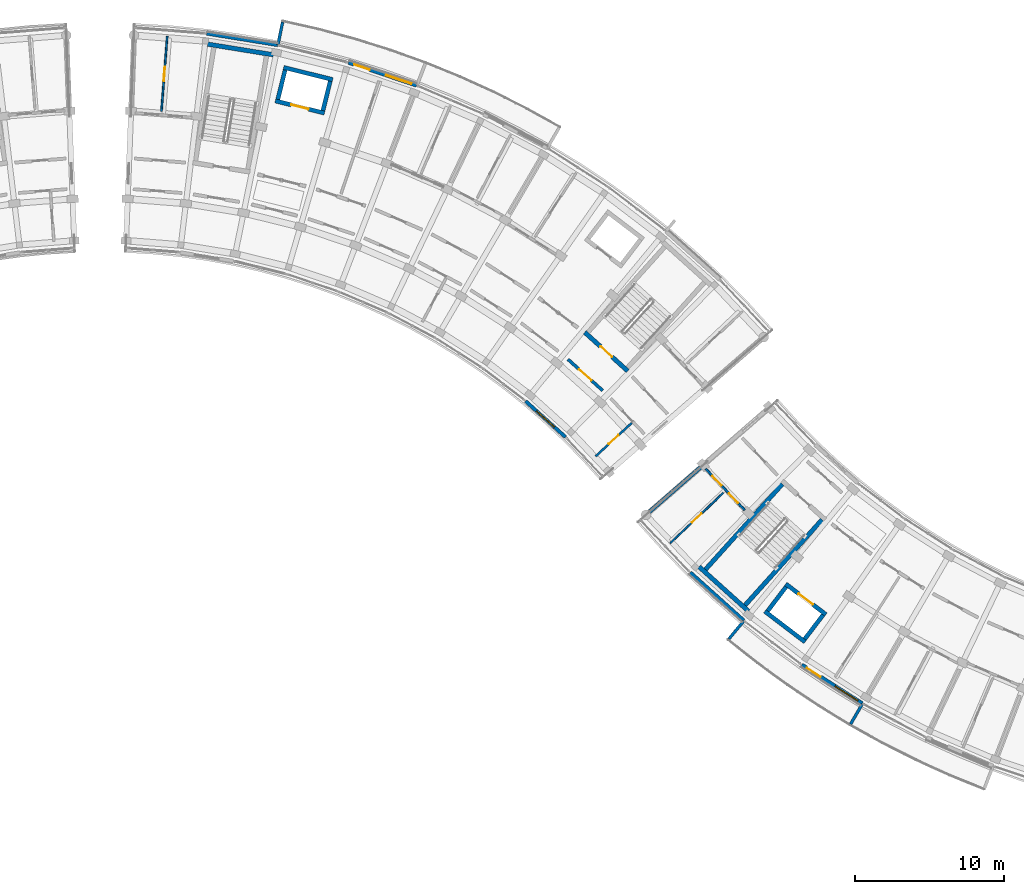
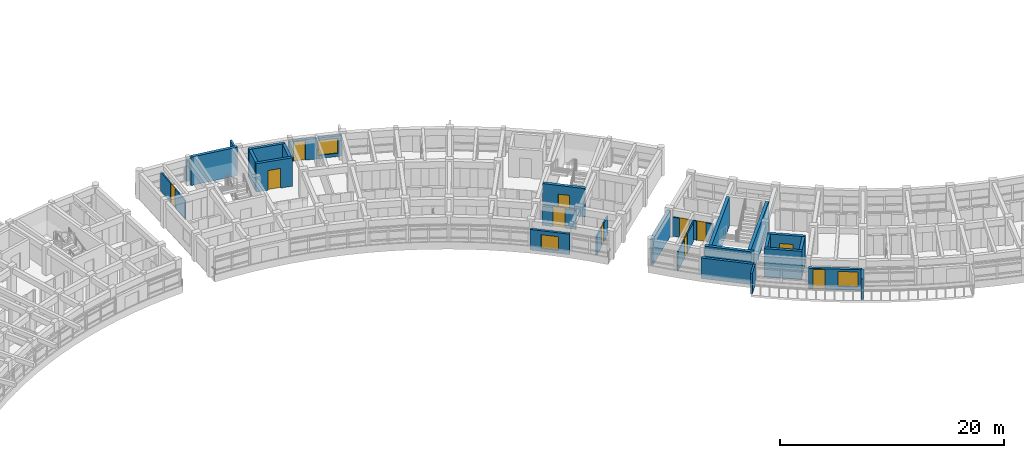
# One storey, part 34 of 50: 27 walls, 11 doors, 3 windows, 14 openings.
"""IFC4 building model written with IfcOpenShell, lengths in metres."""

from ifc_helpers import new_model, si_unit, direction, frame, frame_2d, origin, place, context, subcontext, project, spatial, rectangle, extrude, material, layer, layer_set, type_object, element, fill, save


model = new_model("IFC4")

# Units and contexts
model_context = context("Model", 3, precision=1e-05, world=origin(), true_north=direction((0.0, 1.0)))
body_context = subcontext(model_context, "Body", "Model", "MODEL_VIEW")
ifc_project = project(units=[si_unit("LENGTHUNIT", "METRE"), si_unit("AREAUNIT", "SQUARE_METRE"), si_unit("VOLUMEUNIT", "CUBIC_METRE"), si_unit("PLANEANGLEUNIT", "RADIAN"), si_unit("MASSUNIT", "GRAM", prefix="KILO")], contexts=[model_context])

# Site, building, storey
site_placement = place(None, origin())
site = spatial("IfcSite", under=ifc_project, at=site_placement, CompositionType="ELEMENT")
building_placement = place(site_placement, origin())
building = spatial("IfcBuilding", under=site, at=building_placement, Name="Zimvara Arc Housing Community", CompositionType="ELEMENT")
storey_placement = place(building_placement, frame((0.0, 0.0, 26.699951171875)))
storey = spatial("IfcBuildingStorey", under=building, at=storey_placement, Name="L08", CompositionType="ELEMENT", Elevation=26.699951171875)

# Wall, opening, window
ifc_material_1 = material(Name="Board-Marked Fair-Faced Concrete C35/45", Category="concrete")
ifc_layer_1 = layer(ifc_material_1, 0.22998046875)
ifc_layer_set_1 = layer_set([ifc_layer_1], Name="Board-Marked Fair-Faced Concrete C35/45")
wall_type_1 = type_object("IfcWallType", Name="EWL-CONC-230", PredefinedType="SOLIDWALL", material=ifc_layer_set_1)
wall_1_placement = place(storey_placement, frame((73.480712890625, 78.84716796875, 0.0), z_axis=(0.0, 0.0, 1.0), x_axis=(0.743385092197, -0.668863666751, 0.0)))
wall_1 = element("IfcWall", 1, at=wall_1_placement, inside=storey, type_object=wall_type_1, Name="ewall:blkB:L08:in:b8", PredefinedType="SOLIDWALL", context=body_context, shape_type="SweptSolid", body=[
    extrude(rectangle(XDim=3.603759765625, YDim=0.22998046875, at=frame_2d((1.8017578125, 0.0))), origin(), (0.0, 0.0, 1.0), 2.25),
])
opening_1_placement = place(wall_1_placement, frame((1.001708984375, 0.0, 0.320068359375)))
opening_1 = element("IfcOpeningElement", 2, at=opening_1_placement, cuts=wall_1, Name="Opening W03", PredefinedType="OPENING", context=body_context, shape_type="SweptSolid", body=[
    extrude(rectangle(XDim=1.60009765625, YDim=1.5, at=frame_2d((0.800048828125, 0.75))), frame((0.0, 0.125, 0.0), z_axis=(0.0, -1.0, 0.0), x_axis=(1.0, 0.0, 0.0)), (0.0, 0.0, 1.0), 0.25),
])
ifc_material_2 = material(Name="Solar Control Low-E Double Glazing", Category="glass")
window_type_1 = type_object("IfcWindowType", Name="WIN-RES-1600x1500", PartitioningType="DOUBLE_PANEL_VERTICAL", PredefinedType="WINDOW", material=ifc_material_2)
window_1_placement = place(opening_1_placement, origin())
window_1 = element("IfcWindow", 3, at=window_1_placement, inside=storey, type_object=window_type_1, Name="win:blkB:L08:in:b8", OverallHeight=1.5, OverallWidth=1.60009765625, PartitioningType="DOUBLE_PANEL_VERTICAL", PredefinedType="WINDOW", context=body_context, shape_type="SweptSolid", body=[
    extrude(rectangle(XDim=1.60009765625, YDim=1.5, at=frame_2d((0.800048828125, 0.75))), frame((0.0, 0.030029296875, 0.0), z_axis=(0.0, -1.0, 0.0), x_axis=(1.0, 0.0, 0.0)), (0.0, 0.0, 1.0), 0.06005859375),
])
fill(opening_1, window_1)

# Walls
ifc_material_3 = material(Name="Board-Marked Fair-Faced Concrete C35/45", Category="concrete")
ifc_layer_2 = layer(ifc_material_3, 0.195068359375)
ifc_layer_set_2 = layer_set([ifc_layer_2], Name="Board-Marked Fair-Faced Concrete C35/45")
wall_type_2 = type_object("IfcWallType", Name="EWL-PARA-195", PredefinedType="PARAPET", material=ifc_layer_set_2)
for number, where, z_axis, x_axis, name in (
    (4, (56.907470703125, 102.714599609375, 0.0), (0.0, 0.0, 1.0), (0.200410159258, 0.979712084271, 0.0), "finwall:blkB:L08:out:b2"),
    (5, (88.072265625, 64.1025390625, 0.0), (0.0, 0.0, 1.0), (-0.637952984874, -0.770075313908, 0.0), "finwall:blkC:L08:out:b2"),
    (6, (96.018798828125, 58.546630859375, 0.0), (0.0, 0.0, 1.0), (-0.504228145431, -0.863570481985, 0.0), "finwall:blkC:L08:out:b4"),
):
    element("IfcWall", number, at=place(storey_placement, frame(where, z_axis=z_axis, x_axis=x_axis)), inside=storey, type_object=wall_type_2, Name=name, PredefinedType="PARAPET", context=body_context, shape_type="SweptSolid", body=[
        extrude(rectangle(XDim=1.530029296875, YDim=0.195068359375, at=frame_2d((0.76513671875, 0.0))), origin(), (0.0, 0.0, 1.0), 2.25),
    ])
ifc_material_4 = material(Name="Board-Marked Fair-Faced Concrete C35/45", Category="concrete")
ifc_layer_3 = layer(ifc_material_4, 0.22412109375)
ifc_layer_set_3 = layer_set([ifc_layer_3], Name="Board-Marked Fair-Faced Concrete C35/45")
wall_type_3 = type_object("IfcWallType", Name="EWL-VAR-13", PredefinedType="SOLIDWALL", material=ifc_layer_set_3)
wall_2_placement = place(storey_placement, frame((52.1328125, 103.44921875, 0.0), z_axis=(0.0, 0.0, 1.0), x_axis=(0.987080750493, -0.160223568819, 0.0)))
element("IfcWall", 7, at=wall_2_placement, inside=storey, type_object=wall_type_3, Name="ewall:blkB:L08:out:b1", PredefinedType="SOLIDWALL", context=body_context, shape_type="SweptSolid", body=[
    extrude(rectangle(XDim=4.808837890625, YDim=0.22412109375, at=frame_2d((2.404296875, 0.0))), origin(), (0.0, 0.0, 1.0), 2.25),
])

# Wall, openings, door, window
ifc_material_5 = material(Name="Board-Marked Fair-Faced Concrete C35/45", Category="concrete")
ifc_layer_4 = layer(ifc_material_5, 0.238037109375)
ifc_layer_set_4 = layer_set([ifc_layer_4], Name="Board-Marked Fair-Faced Concrete C35/45")
wall_type_4 = type_object("IfcWallType", Name="EWL-VAR-15", PredefinedType="SOLIDWALL", material=ifc_layer_set_4)
wall_3_placement = place(storey_placement, frame((61.625244140625, 101.50439453125, 0.0), z_axis=(0.0, 0.0, 1.0), x_axis=(0.947867898788, -0.318663531717, 0.0)))
wall_3 = element("IfcWall", 8, at=wall_3_placement, inside=storey, type_object=wall_type_4, Name="ewall:blkB:L08:out:b3", PredefinedType="SOLIDWALL", context=body_context, shape_type="SweptSolid", body=[
    extrude(rectangle(XDim=4.80908203125, YDim=0.238037109375, at=frame_2d((2.404541015625, 0.0))), origin(), (0.0, 0.0, 1.0), 2.25),
])
opening_2_placement = place(wall_3_placement, frame((0.39990234375, 0.0, 0.0)))
opening_2 = element("IfcOpeningElement", 9, at=opening_2_placement, cuts=wall_3, Name="Opening ED06", PredefinedType="OPENING", context=body_context, shape_type="SweptSolid", body=[
    extrude(rectangle(XDim=1.10009765625, YDim=2.14990234375, at=frame_2d((0.550048828125, 1.074951171875))), frame((0.0, 0.12890625, 0.0), z_axis=(0.0, -1.0, 0.0), x_axis=(1.0, 0.0, 0.0)), (0.0, 0.0, 1.0), 0.258056640625),
])
opening_3_placement = place(wall_3_placement, frame((2.658935546875, 0.0, 0.35009765625)))
opening_3 = element("IfcOpeningElement", 10, at=opening_3_placement, cuts=wall_3, Name="Opening W08", PredefinedType="OPENING", context=body_context, shape_type="SweptSolid", body=[
    extrude(rectangle(XDim=1.800048828125, YDim=1.64990234375, at=frame_2d((0.89990234375, 0.824951171875))), frame((0.0, 0.12890625, 0.0), z_axis=(0.0, -1.0, 0.0), x_axis=(1.0, 0.0, 0.0)), (0.0, 0.0, 1.0), 0.258056640625),
])
ifc_material_6 = material(Name="Anodised Aluminium AW-6063", Category="aluminium")
door_type_1 = type_object("IfcDoorType", Name="EDR-TERR-1100x2150", OperationType="NOTDEFINED", PredefinedType="DOOR", material=ifc_material_6)
door_1_placement = place(opening_2_placement, origin())
door_1 = element("IfcDoor", 11, at=door_1_placement, inside=storey, type_object=door_type_1, Name="edoor:blkB:L08:bal_out:b3", OperationType="SINGLE_SWING_LEFT", OverallHeight=2.14990234375, OverallWidth=1.10009765625, PredefinedType="DOOR", context=body_context, shape_type="SweptSolid", body=[
    extrude(rectangle(XDim=1.10009765625, YDim=2.14990234375, at=frame_2d((0.550048828125, 1.074951171875))), frame((0.0, 0.02490234375, 0.0), z_axis=(0.0, -1.0, 0.0), x_axis=(1.0, 0.0, 0.0)), (0.0, 0.0, 1.0), 0.050048828125),
])
fill(opening_2, door_1)
ifc_material_7 = material(Name="Solar Control Low-E Double Glazing", Category="glass")
window_type_2 = type_object("IfcWindowType", Name="WIN-RES-1800x1650", PartitioningType="TRIPLE_PANEL_VERTICAL", PredefinedType="WINDOW", material=ifc_material_7)
window_2_placement = place(opening_3_placement, origin())
window_2 = element("IfcWindow", 12, at=window_2_placement, inside=storey, type_object=window_type_2, Name="win:blkB:L08:out:b3:balw", OverallHeight=1.64990234375, OverallWidth=1.800048828125, PartitioningType="TRIPLE_PANEL_VERTICAL", PredefinedType="WINDOW", context=body_context, shape_type="SweptSolid", body=[
    extrude(rectangle(XDim=1.800048828125, YDim=1.64990234375, at=frame_2d((0.89990234375, 0.824951171875))), frame((0.0, 0.030029296875, 0.0), z_axis=(0.0, -1.0, 0.0), x_axis=(1.0, 0.0, 0.0)), (0.0, 0.0, 1.0), 0.06005859375),
])
fill(opening_3, window_2)

# Wall
ifc_material_8 = material(Name="Board-Marked Fair-Faced Concrete C35/45", Category="concrete")
ifc_layer_5 = layer(ifc_material_8, 0.261962890625)
ifc_layer_set_5 = layer_set([ifc_layer_5], Name="Board-Marked Fair-Faced Concrete C35/45")
wall_type_5 = type_object("IfcWallType", Name="EWL-VAR-20", PredefinedType="SOLIDWALL", material=ifc_layer_set_5)
wall_4_placement = place(storey_placement, frame((84.508056640625, 67.36328125, 0.0), z_axis=(0.0, 0.0, 1.0), x_axis=(0.743387539862, -0.668860946369, 0.0)))
element("IfcWall", 13, at=wall_4_placement, inside=storey, type_object=wall_type_5, Name="ewall:blkC:L08:out:b1", PredefinedType="SOLIDWALL", context=body_context, shape_type="SweptSolid", body=[
    extrude(rectangle(XDim=4.80908203125, YDim=0.261962890625, at=frame_2d((2.404541015625, 0.0))), origin(), (0.0, 0.0, 1.0), 2.25),
])

# Wall, openings, door, window
ifc_material_9 = material(Name="Board-Marked Fair-Faced Concrete C35/45", Category="concrete")
ifc_layer_6 = layer(ifc_material_9, 0.27197265625)
ifc_layer_set_6 = layer_set([ifc_layer_6], Name="Board-Marked Fair-Faced Concrete C35/45")
wall_type_6 = type_object("IfcWallType", Name="EWL-VAR-22", PredefinedType="SOLIDWALL", material=ifc_layer_set_6)
wall_5_placement = place(storey_placement, frame((91.971923828125, 61.18408203125, 0.0), z_axis=(0.0, 0.0, 1.0), x_axis=(0.84226218024, -0.539068103061, 0.0)))
wall_5 = element("IfcWall", 14, at=wall_5_placement, inside=storey, type_object=wall_type_6, Name="ewall:blkC:L08:out:b3", PredefinedType="SOLIDWALL", context=body_context, shape_type="SweptSolid", body=[
    extrude(rectangle(XDim=4.808837890625, YDim=0.27197265625, at=frame_2d((2.404296875, 0.0))), origin(), (0.0, 0.0, 1.0), 2.25),
])
opening_4_placement = place(wall_5_placement, frame((0.39990234375, 0.0, 0.0)))
opening_4 = element("IfcOpeningElement", 15, at=opening_4_placement, cuts=wall_5, Name="Opening ED06", PredefinedType="OPENING", context=body_context, shape_type="SweptSolid", body=[
    extrude(rectangle(XDim=1.10009765625, YDim=2.14990234375, at=frame_2d((0.550048828125, 1.074951171875))), frame((0.0, 0.14599609375, 0.0), z_axis=(0.0, -1.0, 0.0), x_axis=(1.0, 0.0, 0.0)), (0.0, 0.0, 1.0), 0.2919921875),
])
opening_5_placement = place(wall_5_placement, frame((2.658935546875, 0.0, 0.35009765625)))
opening_5 = element("IfcOpeningElement", 16, at=opening_5_placement, cuts=wall_5, Name="Opening W08", PredefinedType="OPENING", context=body_context, shape_type="SweptSolid", body=[
    extrude(rectangle(XDim=1.800048828125, YDim=1.64990234375, at=frame_2d((0.89990234375, 0.824951171875))), frame((0.0, 0.14599609375, 0.0), z_axis=(0.0, -1.0, 0.0), x_axis=(1.0, 0.0, 0.0)), (0.0, 0.0, 1.0), 0.2919921875),
])
door_2_placement = place(opening_4_placement, origin())
door_2 = element("IfcDoor", 17, at=door_2_placement, inside=storey, type_object=door_type_1, Name="edoor:blkC:L08:bal_out:b3", OperationType="SINGLE_SWING_LEFT", OverallHeight=2.14990234375, OverallWidth=1.10009765625, PredefinedType="DOOR", context=body_context, shape_type="SweptSolid", body=[
    extrude(rectangle(XDim=1.10009765625, YDim=2.14990234375, at=frame_2d((0.550048828125, 1.074951171875))), frame((0.0, 0.02490234375, 0.0), z_axis=(0.0, -1.0, 0.0), x_axis=(1.0, 0.0, 0.0)), (0.0, 0.0, 1.0), 0.050048828125),
])
fill(opening_4, door_2)
window_3_placement = place(opening_5_placement, origin())
window_3 = element("IfcWindow", 18, at=window_3_placement, inside=storey, type_object=window_type_2, Name="win:blkC:L08:out:b3:balw", OverallHeight=1.64990234375, OverallWidth=1.800048828125, PartitioningType="TRIPLE_PANEL_VERTICAL", PredefinedType="WINDOW", context=body_context, shape_type="SweptSolid", body=[
    extrude(rectangle(XDim=1.800048828125, YDim=1.64990234375, at=frame_2d((0.89990234375, 0.824951171875))), frame((0.0, 0.030029296875, 0.0), z_axis=(0.0, -1.0, 0.0), x_axis=(1.0, 0.0, 0.0)), (0.0, 0.0, 1.0), 0.06005859375),
])
fill(opening_5, window_3)

# Wall, opening, door
ifc_material_10 = material(Name="Concrete C35/45", Category="concrete")
ifc_layer_7 = layer(ifc_material_10, 0.2099609375)
ifc_layer_set_7 = layer_set([ifc_layer_7], Name="Concrete C35/45")
wall_type_7 = type_object("IfcWallType", Name="IWL-CCF-210", PredefinedType="SOLIDWALL", material=ifc_layer_set_7)
wall_6_placement = place(storey_placement, frame((76.317138671875, 81.644287109375, 0.0), z_axis=(0.0, 0.0, 1.0), x_axis=(0.743387266925, -0.668861249718, 0.0)))
wall_6 = element("IfcWall", 19, at=wall_6_placement, inside=storey, type_object=wall_type_7, Name="iwall:blkB:L08:ccf_div:b8", PredefinedType="SOLIDWALL", context=body_context, shape_type="SweptSolid", body=[
    extrude(rectangle(XDim=3.12841796875, YDim=0.2099609375, at=frame_2d((1.564208984375, 0.0))), origin(), (0.0, 0.0, 1.0), 2.080078125),
])
opening_6_placement = place(wall_6_placement, frame((1.014404296875, 0.0, 0.0)))
opening_6 = element("IfcOpeningElement", 20, at=opening_6_placement, cuts=wall_6, Name="Opening FD-CCF1", PredefinedType="OPENING", context=body_context, shape_type="SweptSolid", body=[
    extrude(rectangle(XDim=1.10009765625, YDim=2.14990234375, at=frame_2d((0.550048828125, 1.074951171875))), frame((0.0, 0.114990234375, 0.0), z_axis=(0.0, -1.0, 0.0), x_axis=(1.0, 0.0, 0.0)), (0.0, 0.0, 1.0), 0.22998046875),
])
ifc_material_11 = material(Name="Anodised Aluminium AW-6063", Category="aluminium")
door_type_2 = type_object("IfcDoorType", Name="IDR-CCF-1100x2150", OperationType="NOTDEFINED", PredefinedType="DOOR", material=ifc_material_11)
door_3_placement = place(opening_6_placement, origin())
door_3 = element("IfcDoor", 21, at=door_3_placement, inside=storey, type_object=door_type_2, Name="idoor:blkB:L08:ccf_in:b8", OperationType="SINGLE_SWING_LEFT", OverallHeight=2.14990234375, OverallWidth=1.10009765625, PredefinedType="DOOR", context=body_context, shape_type="SweptSolid", body=[
    extrude(rectangle(XDim=1.10009765625, YDim=2.14990234375, at=frame_2d((0.550048828125, 1.074951171875))), frame((0.0, 0.02490234375, 0.0), z_axis=(0.0, -1.0, 0.0), x_axis=(1.0, 0.0, 0.0)), (0.0, 0.0, 1.0), 0.050048828125),
])
fill(opening_6, door_3)

ifc_material_12 = material(Name="Painted Acoustic Plasterboard")
ifc_layer_8 = layer(ifc_material_12, 0.1201171875)
ifc_layer_set_8 = layer_set([ifc_layer_8], Name="Painted Acoustic Plasterboard")
wall_type_8 = type_object("IfcWallType", Name="IWL-PART-120", PredefinedType="PARTITIONING", material=ifc_layer_set_8)
wall_7_placement = place(storey_placement, frame((49.1044921875, 98.243408203125, 0.0), z_axis=(0.0, 0.0, 1.0), x_axis=(0.076141951799, 0.997096987848, 0.0)))
wall_7 = element("IfcWall", 22, at=wall_7_placement, inside=storey, type_object=wall_type_8, Name="iwall:blkB:L08:bed_div:b0", PredefinedType="PARTITIONING", context=body_context, shape_type="SweptSolid", body=[
    extrude(rectangle(XDim=5.050048828125, YDim=0.1201171875, at=frame_2d((2.52490234375, 0.0))), origin(), (0.0, 0.0, 1.0), 2.080078125),
])
opening_7_placement = place(wall_7_placement, frame((2.0400390625, 0.0, 0.0)))
opening_7 = element("IfcOpeningElement", 23, at=opening_7_placement, cuts=wall_7, Name="Opening D14", PredefinedType="OPENING", context=body_context, shape_type="SweptSolid", body=[
    extrude(rectangle(XDim=0.969970703125, YDim=2.10009765625, at=frame_2d((0.48486328125, 1.050048828125))), frame((0.0, 0.070068359375, 0.0), z_axis=(0.0, -1.0, 0.0), x_axis=(1.0, 0.0, 0.0)), (0.0, 0.0, 1.0), 0.14013671875),
])
ifc_material_13 = material(Name="Mozambican Hardwood", Category="wood")
door_type_3 = type_object("IfcDoorType", Name="IDR-MOD-970x2080", OperationType="NOTDEFINED", PredefinedType="DOOR", material=ifc_material_13)
door_4_placement = place(opening_7_placement, origin())
door_4 = element("IfcDoor", 24, at=door_4_placement, inside=storey, type_object=door_type_3, Name="idoor:blkB:L08:bed_d:b0", OperationType="SINGLE_SWING_LEFT", OverallHeight=2.10009765625, OverallWidth=0.969970703125, PredefinedType="DOOR", context=body_context, shape_type="SweptSolid", body=[
    extrude(rectangle(XDim=0.969970703125, YDim=2.10009765625, at=frame_2d((0.48486328125, 1.050048828125))), frame((0.0, 0.02490234375, 0.0), z_axis=(0.0, -1.0, 0.0), x_axis=(1.0, 0.0, 0.0)), (0.0, 0.0, 1.0), 0.050048828125),
])
fill(opening_7, door_4)

wall_8_placement = place(storey_placement, frame((86.725830078125, 72.704833984375, 0.0), z_axis=(0.0, 0.0, 1.0), x_axis=(-0.726270746475, -0.687408759629, 0.0)))
wall_8 = element("IfcWall", 25, at=wall_8_placement, inside=storey, type_object=wall_type_8, Name="iwall:blkC:L08:bed_div:b0", PredefinedType="PARTITIONING", context=body_context, shape_type="SweptSolid", body=[
    extrude(rectangle(XDim=4.900146484375, YDim=0.1201171875, at=frame_2d((2.4501953125, 0.0))), origin(), (0.0, 0.0, 1.0), 2.080078125),
])
opening_8_placement = place(wall_8_placement, frame((2.02490234375, 0.0, 0.0)))
opening_8 = element("IfcOpeningElement", 26, at=opening_8_placement, cuts=wall_8, Name="Opening D11", PredefinedType="OPENING", context=body_context, shape_type="SweptSolid", body=[
    extrude(rectangle(XDim=0.85009765625, YDim=2.10009765625, at=frame_2d((0.425048828125, 1.050048828125))), frame((0.0, 0.070068359375, 0.0), z_axis=(0.0, -1.0, 0.0), x_axis=(1.0, 0.0, 0.0)), (0.0, 0.0, 1.0), 0.14013671875),
])
ifc_material_14 = material(Name="Mozambican Hardwood", Category="wood")
door_type_4 = type_object("IfcDoorType", Name="IDR-MOD-850x2060", OperationType="NOTDEFINED", PredefinedType="DOOR", material=ifc_material_14)
door_5_placement = place(opening_8_placement, origin())
door_5 = element("IfcDoor", 27, at=door_5_placement, inside=storey, type_object=door_type_4, Name="idoor:blkC:L08:bed_d:b0", OperationType="SINGLE_SWING_RIGHT", OverallHeight=2.10009765625, OverallWidth=0.85009765625, PredefinedType="DOOR", context=body_context, shape_type="SweptSolid", body=[
    extrude(rectangle(XDim=0.85009765625, YDim=2.10009765625, at=frame_2d((0.425048828125, 1.050048828125))), frame((0.0, 0.02490234375, 0.0), z_axis=(0.0, -1.0, 0.0), x_axis=(1.0, 0.0, 0.0)), (0.0, 0.0, 1.0), 0.050048828125),
])
fill(opening_8, door_5)

# Wall, openings, doors
ifc_material_15 = material(Name="Painted Acoustic Plasterboard")
ifc_layer_9 = layer(ifc_material_15, 0.139892578125)
ifc_layer_set_9 = layer_set([ifc_layer_9], Name="Painted Acoustic Plasterboard")
wall_type_9 = type_object("IfcWallType", Name="IWL-PART-140", PredefinedType="PARTITIONING", material=ifc_layer_set_9)
wall_9_placement = place(storey_placement, frame((85.544677734375, 74.31298828125, 0.0), z_axis=(0.0, 0.0, 1.0), x_axis=(0.686332741542, -0.727287678906, 0.0)))
wall_9 = element("IfcWall", 28, at=wall_9_placement, inside=storey, type_object=wall_type_9, Name="iwall:blkC:L08:srv:b0", PredefinedType="PARTITIONING", context=body_context, shape_type="SweptSolid", body=[
    extrude(rectangle(XDim=3.79736328125, YDim=0.139892578125, at=frame_2d((1.898681640625, 0.0))), origin(), (0.0, 0.0, 1.0), 2.080078125),
])
opening_9_placement = place(wall_9_placement, frame((0.64990234375, 0.0, 0.0)))
opening_9 = element("IfcOpeningElement", 29, at=opening_9_placement, cuts=wall_9, Name="Opening D01", PredefinedType="OPENING", context=body_context, shape_type="SweptSolid", body=[
    extrude(rectangle(XDim=0.89990234375, YDim=2.10009765625, at=frame_2d((0.449951171875, 1.050048828125))), frame((0.0, 0.079833984375, 0.0), z_axis=(0.0, -1.0, 0.0), x_axis=(1.0, 0.0, 0.0)), (0.0, 0.0, 1.0), 0.159912109375),
])
opening_10_placement = place(wall_9_placement, frame((2.267333984375, 0.0, 0.0)))
opening_10 = element("IfcOpeningElement", 30, at=opening_10_placement, cuts=wall_9, Name="Opening D05", PredefinedType="OPENING", context=body_context, shape_type="SweptSolid", body=[
    extrude(rectangle(XDim=0.8798828125, YDim=2.10009765625, at=frame_2d((0.43994140625, 1.050048828125))), frame((0.0, 0.079833984375, 0.0), z_axis=(0.0, -1.0, 0.0), x_axis=(1.0, 0.0, 0.0)), (0.0, 0.0, 1.0), 0.159912109375),
])
ifc_material_16 = material(Name="Mozambican Hardwood", Category="wood")
door_type_5 = type_object("IfcDoorType", Name="IDR-RM-0900x2100", OperationType="NOTDEFINED", PredefinedType="DOOR", material=ifc_material_16)
door_6_placement = place(opening_9_placement, origin())
door_6 = element("IfcDoor", 31, at=door_6_placement, inside=storey, type_object=door_type_5, Name="idoor:blkC:L08:kit_liv:b0", OperationType="SINGLE_SWING_RIGHT", OverallHeight=2.10009765625, OverallWidth=0.89990234375, PredefinedType="DOOR", context=body_context, shape_type="SweptSolid", body=[
    extrude(rectangle(XDim=0.89990234375, YDim=2.10009765625, at=frame_2d((0.449951171875, 1.050048828125))), frame((0.0, 0.02490234375, 0.0), z_axis=(0.0, -1.0, 0.0), x_axis=(1.0, 0.0, 0.0)), (0.0, 0.0, 1.0), 0.050048828125),
])
fill(opening_9, door_6)
ifc_material_17 = material(Name="Mozambican Hardwood", Category="wood")
door_type_6 = type_object("IfcDoorType", Name="IDR-WC-0880x2100", OperationType="NOTDEFINED", PredefinedType="DOOR", material=ifc_material_17)
door_7_placement = place(opening_10_placement, origin())
door_7 = element("IfcDoor", 32, at=door_7_placement, inside=storey, type_object=door_type_6, Name="idoor:blkC:L08:bath_d:b0", OperationType="SINGLE_SWING_LEFT", OverallHeight=2.10009765625, OverallWidth=0.8798828125, PredefinedType="DOOR", context=body_context, shape_type="SweptSolid", body=[
    extrude(rectangle(XDim=0.8798828125, YDim=2.10009765625, at=frame_2d((0.43994140625, 1.050048828125))), frame((0.0, 0.02490234375, 0.0), z_axis=(0.0, -1.0, 0.0), x_axis=(1.0, 0.0, 0.0)), (0.0, 0.0, 1.0), 0.050048828125),
])
fill(opening_10, door_7)

# Wall, opening, door
ifc_material_18 = material(Name="Painted Acoustic Plasterboard")
ifc_layer_10 = layer(ifc_material_18, 0.14501953125)
ifc_layer_set_10 = layer_set([ifc_layer_10], Name="Painted Acoustic Plasterboard")
wall_type_10 = type_object("IfcWallType", Name="IWL-WET-145", PredefinedType="PARTITIONING", material=ifc_layer_set_10)
wall_10_placement = place(storey_placement, frame((78.16259765625, 75.139404296875, 0.0), z_axis=(0.0, 0.0, 1.0), x_axis=(0.734519733107, 0.678587327967, 0.0)))
wall_10 = element("IfcWall", 33, at=wall_10_placement, inside=storey, type_object=wall_type_10, Name="iwall:blkB:L08:ens:b9", PredefinedType="PARTITIONING", context=body_context, shape_type="SweptSolid", body=[
    extrude(rectangle(XDim=3.2998046875, YDim=0.14501953125, at=frame_2d((1.64990234375, 0.0))), origin(), (0.0, 0.0, 1.0), 2.080078125),
])
opening_11_placement = place(wall_10_placement, frame((1.2099609375, 0.0, 0.0)))
opening_11 = element("IfcOpeningElement", 34, at=opening_11_placement, cuts=wall_10, Name="Opening D05", PredefinedType="OPENING", context=body_context, shape_type="SweptSolid", body=[
    extrude(rectangle(XDim=0.8798828125, YDim=2.10009765625, at=frame_2d((0.43994140625, 1.050048828125))), frame((0.0, 0.08251953125, 0.0), z_axis=(0.0, -1.0, 0.0), x_axis=(1.0, 0.0, 0.0)), (0.0, 0.0, 1.0), 0.1650390625),
])
door_8_placement = place(opening_11_placement, origin())
door_8 = element("IfcDoor", 35, at=door_8_placement, inside=storey, type_object=door_type_6, Name="idoor:blkB:L08:ens_d:b9", OperationType="SINGLE_SWING_RIGHT", OverallHeight=2.10009765625, OverallWidth=0.8798828125, PredefinedType="DOOR", context=body_context, shape_type="SweptSolid", body=[
    extrude(rectangle(XDim=0.8798828125, YDim=2.10009765625, at=frame_2d((0.43994140625, 1.050048828125))), frame((0.0, 0.02490234375, 0.0), z_axis=(0.0, -1.0, 0.0), x_axis=(1.0, 0.0, 0.0)), (0.0, 0.0, 1.0), 0.050048828125),
])
fill(opening_11, door_8)

ifc_material_19 = material(Name="Concrete C40/50", Category="concrete")
ifc_layer_11 = layer(ifc_material_19, 0.280029296875)
ifc_layer_set_11 = layer_set([ifc_layer_11], Name="Concrete C40/50")
wall_type_11 = type_object("IfcWallType", Name="WL-CORE-280", PredefinedType="SHEAR", material=ifc_layer_set_11)
wall_11_placement = place(storey_placement, frame((60.017578125, 98.127685546875, 0.0), z_axis=(0.0, 0.0, 1.0), x_axis=(-0.970707542441, 0.240264160972, 0.0)))
wall_11 = element("IfcWall", 36, at=wall_11_placement, inside=storey, type_object=wall_type_11, Name="lwall:LF-B1:L08:front", PredefinedType="SHEAR", context=body_context, shape_type="SweptSolid", body=[
    extrude(rectangle(XDim=3.389892578125, YDim=0.280029296875, at=frame_2d((1.69482421875, 0.0))), origin(), (0.0, 0.0, 1.0), 3.10009765625),
])
opening_12_placement = place(wall_11_placement, frame((1.094970703125, 0.0, 0.0)))
opening_12 = element("IfcOpeningElement", 37, at=opening_12_placement, cuts=wall_11, Name="Opening LD-LF-B1", PredefinedType="OPENING", context=body_context, shape_type="SweptSolid", body=[
    extrude(rectangle(XDim=1.199951171875, YDim=2.14990234375, at=frame_2d((0.60009765625, 1.074951171875))), frame((0.0, 0.14990234375, 0.0), z_axis=(0.0, -1.0, 0.0), x_axis=(1.0, 0.0, 0.0)), (0.0, 0.0, 1.0), 0.300048828125),
])
ifc_material_20 = material(Name="Anodised Aluminium AW-6063", Category="aluminium")
door_type_7 = type_object("IfcDoorType", Name="IDR-LD-1200x2150", OperationType="DOUBLE_DOOR_SLIDING", PredefinedType="DOOR", material=ifc_material_20)
door_9_placement = place(opening_12_placement, origin())
door_9 = element("IfcDoor", 38, at=door_9_placement, inside=storey, type_object=door_type_7, Name="Lift LF-B1 Sliding Landing Door L08", OperationType="DOUBLE_DOOR_SLIDING", OverallHeight=2.14990234375, OverallWidth=1.199951171875, PredefinedType="DOOR", context=body_context, shape_type="SweptSolid", body=[
    extrude(rectangle(XDim=1.199951171875, YDim=2.14990234375, at=frame_2d((0.60009765625, 1.074951171875))), frame((0.0, 0.02490234375, 0.0), z_axis=(0.0, -1.0, 0.0), x_axis=(1.0, 0.0, 0.0)), (0.0, 0.0, 1.0), 0.050048828125),
])
fill(opening_12, door_9)

# Walls
wall_12_placement = place(storey_placement, frame((60.572509765625, 100.3701171875, 0.0), z_axis=(0.0, 0.0, 1.0), x_axis=(-0.970711699588, 0.240247364777, 0.0)))
element("IfcWall", 39, at=wall_12_placement, inside=storey, type_object=wall_type_11, Name="lwall:LF-B1:L08:back", PredefinedType="SHEAR", context=body_context, shape_type="SweptSolid", body=[
    extrude(rectangle(XDim=3.39013671875, YDim=0.280029296875, at=frame_2d((1.695068359375, 0.0))), origin(), (0.0, 0.0, 1.0), 3.10009765625),
])
wall_13_placement = place(storey_placement, frame((59.915283203125, 98.29736328125, 0.0), z_axis=(0.0, 0.0, 1.0), x_axis=(0.2402993748, 0.970698825832, 0.0)))
element("IfcWall", 40, at=wall_13_placement, inside=storey, type_object=wall_type_11, Name="lwall:LF-B1:L08:left", PredefinedType="SHEAR", context=body_context, shape_type="SweptSolid", body=[
    extrude(rectangle(XDim=2.030029296875, YDim=0.280029296875, at=frame_2d((1.01513671875, 0.0))), origin(), (0.0, 0.0, 1.0), 3.10009765625),
])
wall_14_placement = place(storey_placement, frame((56.896484375, 99.04443359375, 0.0), z_axis=(0.0, 0.0, 1.0), x_axis=(0.240186044774, 0.970726873995, 0.0)))
element("IfcWall", 41, at=wall_14_placement, inside=storey, type_object=wall_type_11, Name="lwall:LF-B1:L08:right", PredefinedType="SHEAR", context=body_context, shape_type="SweptSolid", body=[
    extrude(rectangle(XDim=2.02978515625, YDim=0.280029296875, at=frame_2d((1.014892578125, 0.0))), origin(), (0.0, 0.0, 1.0), 3.10009765625),
])

# Wall, opening, door
wall_15_placement = place(storey_placement, frame((90.8994140625, 66.607177734375, 0.0), z_axis=(0.0, 0.0, 1.0), x_axis=(0.795439986025, -0.606032365994, 0.0)))
wall_15 = element("IfcWall", 42, at=wall_15_placement, inside=storey, type_object=wall_type_11, Name="lwall:LF-C1:L08:front", PredefinedType="SHEAR", context=body_context, shape_type="SweptSolid", body=[
    extrude(rectangle(XDim=3.389892578125, YDim=0.280029296875, at=frame_2d((1.69482421875, 0.0))), origin(), (0.0, 0.0, 1.0), 3.10009765625),
])
opening_13_placement = place(wall_15_placement, frame((1.094970703125, 0.0, 0.0)))
opening_13 = element("IfcOpeningElement", 43, at=opening_13_placement, cuts=wall_15, Name="Opening LD-LF-C1", PredefinedType="OPENING", context=body_context, shape_type="SweptSolid", body=[
    extrude(rectangle(XDim=1.199951171875, YDim=2.14990234375, at=frame_2d((0.60009765625, 1.074951171875))), frame((0.0, 0.14990234375, 0.0), z_axis=(0.0, -1.0, 0.0), x_axis=(1.0, 0.0, 0.0)), (0.0, 0.0, 1.0), 0.300048828125),
])
door_10_placement = place(opening_13_placement, origin())
door_10 = element("IfcDoor", 44, at=door_10_placement, inside=storey, type_object=door_type_7, Name="Lift LF-C1 Sliding Landing Door L08", OperationType="DOUBLE_DOOR_SLIDING", OverallHeight=2.14990234375, OverallWidth=1.199951171875, PredefinedType="DOOR", context=body_context, shape_type="SweptSolid", body=[
    extrude(rectangle(XDim=1.199951171875, YDim=2.14990234375, at=frame_2d((0.60009765625, 1.074951171875))), frame((0.0, 0.02490234375, 0.0), z_axis=(0.0, -1.0, 0.0), x_axis=(1.0, 0.0, 0.0)), (0.0, 0.0, 1.0), 0.050048828125),
])
fill(opening_13, door_10)

# Walls
wall_16_placement = place(storey_placement, frame((89.49951171875, 64.76953125, 0.0), z_axis=(0.0, 0.0, 1.0), x_axis=(0.795474703455, -0.605986795371, 0.0)))
element("IfcWall", 45, at=wall_16_placement, inside=storey, type_object=wall_type_11, Name="lwall:LF-C1:L08:back", PredefinedType="SHEAR", context=body_context, shape_type="SweptSolid", body=[
    extrude(rectangle(XDim=3.389892578125, YDim=0.280029296875, at=frame_2d((1.69482421875, 0.0))), origin(), (0.0, 0.0, 1.0), 3.10009765625),
])
wall_17_placement = place(storey_placement, frame((90.92578125, 66.410888671875, 0.0), z_axis=(0.0, 0.0, 1.0), x_axis=(-0.605948992168, -0.795503500238, 0.0)))
element("IfcWall", 46, at=wall_17_placement, inside=storey, type_object=wall_type_11, Name="lwall:LF-C1:L08:left", PredefinedType="SHEAR", context=body_context, shape_type="SweptSolid", body=[
    extrude(rectangle(XDim=2.02978515625, YDim=0.280029296875, at=frame_2d((1.014892578125, 0.0))), origin(), (0.0, 0.0, 1.0), 3.10009765625),
])
wall_18_placement = place(storey_placement, frame((93.399658203125, 64.5263671875, 0.0), z_axis=(0.0, 0.0, 1.0), x_axis=(-0.605891019062, -0.795547656033, 0.0)))
element("IfcWall", 47, at=wall_18_placement, inside=storey, type_object=wall_type_11, Name="lwall:LF-C1:L08:right", PredefinedType="SHEAR", context=body_context, shape_type="SweptSolid", body=[
    extrude(rectangle(XDim=2.030029296875, YDim=0.280029296875, at=frame_2d((1.01513671875, 0.0))), origin(), (0.0, 0.0, 1.0), 3.10009765625),
])
ifc_material_21 = material(Name="Concrete C40/50", Category="concrete")
ifc_layer_12 = layer(ifc_material_21, 0.300048828125)
ifc_layer_set_12 = layer_set([ifc_layer_12], Name="Concrete C40/50")
wall_type_12 = type_object("IfcWallType", Name="WL-CORE-300", PredefinedType="SHEAR", material=ifc_layer_set_12)
wall_19_placement = place(storey_placement, frame((56.6025390625, 102.029296875, 0.0), z_axis=(0.0, 0.0, 1.0), x_axis=(-0.987084710126, 0.160199173019, 0.0)))
element("IfcWall", 48, at=wall_19_placement, inside=storey, type_object=wall_type_12, Name="cwall:ST-B1:L08:far", PredefinedType="SHEAR", context=body_context, shape_type="SweptSolid", body=[
    extrude(rectangle(XDim=4.4697265625, YDim=0.300048828125, at=frame_2d((2.23486328125, 0.0))), origin(), (0.0, 0.0, 1.0), 3.10009765625),
])

# Wall, opening, door
wall_20_placement = place(storey_placement, frame((80.320068359375, 80.861572265625, 0.0), z_axis=(0.0, 0.0, 1.0), x_axis=(-0.743375696158, 0.668874109501, 0.0)))
wall_20 = element("IfcWall", 49, at=wall_20_placement, inside=storey, type_object=wall_type_12, Name="cwall:ST-B2:L08:near", PredefinedType="SHEAR", context=body_context, shape_type="SweptSolid", body=[
    extrude(rectangle(XDim=3.8701171875, YDim=0.300048828125, at=frame_2d((1.93505859375, 0.0))), origin(), (0.0, 0.0, 1.0), 3.10009765625),
])
opening_14_placement = place(wall_20_placement, frame((1.409912109375, 0.0, 0.0)))
opening_14 = element("IfcOpeningElement", 50, at=opening_14_placement, cuts=wall_20, Name="Opening FD-ST2", PredefinedType="OPENING", context=body_context, shape_type="SweptSolid", body=[
    extrude(rectangle(XDim=1.050048828125, YDim=2.14990234375, at=frame_2d((0.52490234375, 1.074951171875))), frame((0.0, 0.159912109375, 0.0), z_axis=(0.0, -1.0, 0.0), x_axis=(1.0, 0.0, 0.0)), (0.0, 0.0, 1.0), 0.320068359375),
])
ifc_material_22 = material(Name="Anodised Aluminium AW-6063", Category="aluminium")
door_type_8 = type_object("IfcDoorType", Name="IDR-ST-1050x2150", OperationType="NOTDEFINED", PredefinedType="DOOR", material=ifc_material_22)
door_11_placement = place(opening_14_placement, origin())
door_11 = element("IfcDoor", 51, at=door_11_placement, inside=storey, type_object=door_type_8, Name="idoor:ST-B2:L08:entry", OperationType="SINGLE_SWING_RIGHT", OverallHeight=2.14990234375, OverallWidth=1.050048828125, PredefinedType="DOOR", context=body_context, shape_type="SweptSolid", body=[
    extrude(rectangle(XDim=1.050048828125, YDim=2.14990234375, at=frame_2d((0.52490234375, 1.074951171875))), frame((0.0, 0.02490234375, 0.0), z_axis=(0.0, -1.0, 0.0), x_axis=(1.0, 0.0, 0.0)), (0.0, 0.0, 1.0), 0.050048828125),
])
fill(opening_14, door_11)

# Walls
wall_21_placement = place(storey_placement, frame((85.092529296875, 67.759521484375, 0.0), z_axis=(0.0, 0.0, 1.0), x_axis=(0.743372896184, -0.668877221333, 0.0)))
element("IfcWall", 52, at=wall_21_placement, inside=storey, type_object=wall_type_12, Name="cwall:ST-C1:L08:far", PredefinedType="SHEAR", context=body_context, shape_type="SweptSolid", body=[
    extrude(rectangle(XDim=4.47021484375, YDim=0.300048828125, at=frame_2d((2.235107421875, 0.0))), origin(), (0.0, 0.0, 1.0), 3.10009765625),
])
wall_22_placement = place(storey_placement, frame((90.671142578125, 73.28662109375, 0.0), z_axis=(0.0, 0.0, 1.0), x_axis=(-0.668885797871, -0.743365179038, 0.0)))
element("IfcWall", 53, at=wall_22_placement, inside=storey, type_object=wall_type_12, Name="cwall:ST-C1:L08:left", PredefinedType="SHEAR", context=body_context, shape_type="SweptSolid", body=[
    extrude(rectangle(XDim=7.690185546875, YDim=0.300048828125, at=frame_2d((3.84521484375, 0.0))), origin(), (0.0, 0.0, 1.0), 3.10009765625),
])
wall_23_placement = place(storey_placement, frame((93.324951171875, 70.898681640625, 0.0), z_axis=(0.0, 0.0, 1.0), x_axis=(-0.668868253964, -0.743380964808, 0.0)))
element("IfcWall", 54, at=wall_23_placement, inside=storey, type_object=wall_type_12, Name="cwall:ST-C1:L08:right", PredefinedType="SHEAR", context=body_context, shape_type="SweptSolid", body=[
    extrude(rectangle(XDim=7.68994140625, YDim=0.300048828125, at=frame_2d((3.844970703125, 0.0))), origin(), (0.0, 0.0, 1.0), 3.10009765625),
])
ifc_material_23 = material(Name="Concrete C40/50", Category="concrete")
ifc_layer_13 = layer(ifc_material_23, 0.27001953125)
ifc_layer_set_13 = layer_set([ifc_layer_13], Name="Concrete C40/50")
wall_type_13 = type_object("IfcWallType", Name="WL-SHEAR-270", PredefinedType="SHEAR", material=ifc_layer_set_13)
wall_24_placement = place(storey_placement, frame((85.24072265625, 74.446044921875, 0.0), z_axis=(0.0, 0.0, 1.0), x_axis=(-0.754703505217, -0.65606601742, 0.0)))
element("IfcWall", 55, at=wall_24_placement, inside=storey, type_object=wall_type_13, Name="swall:blkC:L08:west", PredefinedType="SHEAR", context=body_context, shape_type="SweptSolid", body=[
    extrude(rectangle(XDim=4.719970703125, YDim=0.27001953125, at=frame_2d((2.35986328125, 0.0))), origin(), (0.0, 0.0, 1.0), 2.860107421875),
])

save(model, "model.ifc")
